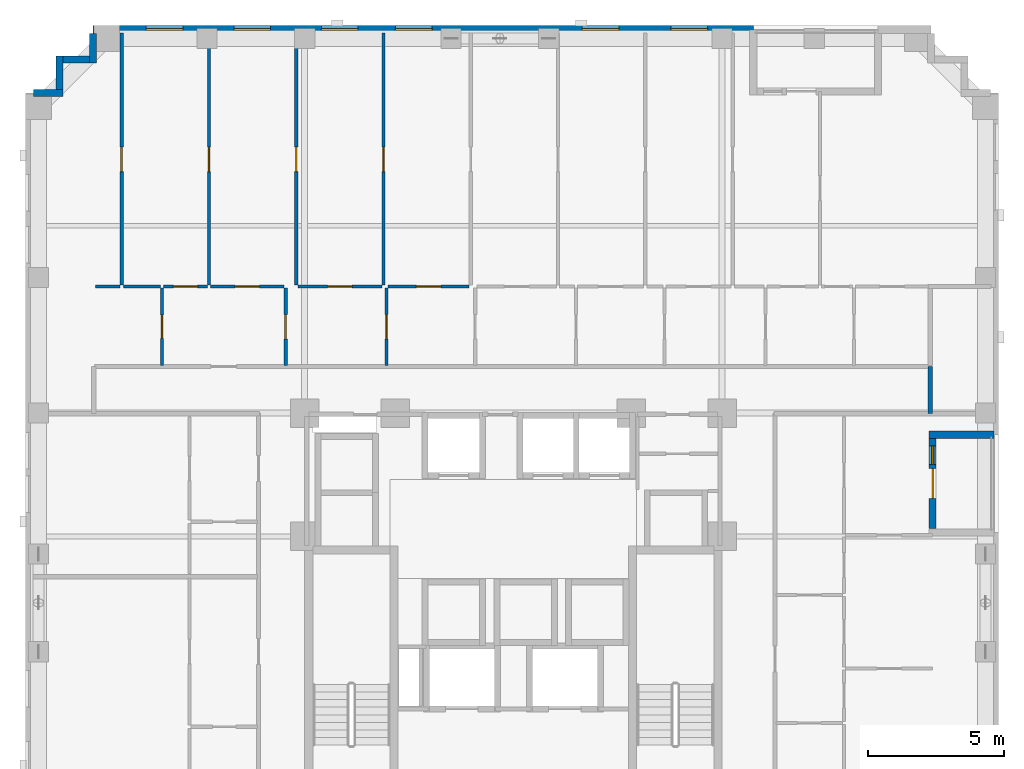
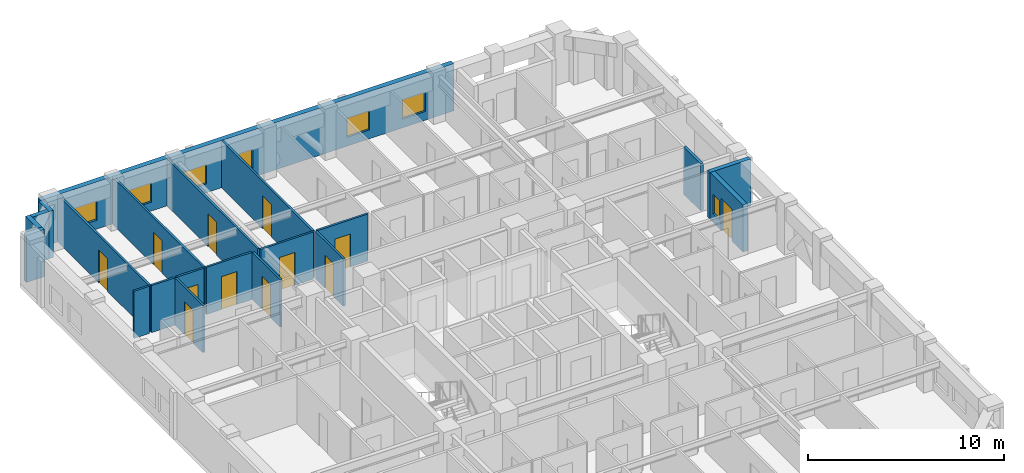
# One storey, part 7 of 13: 21 walls, 12 doors, 7 windows, 19 openings.
"""IFC4 building model written with IfcOpenShell, lengths in metres."""

from ifc_helpers import new_model, si_unit, derived_unit, direction, frame, frame_2d, origin, place, context, subcontext, project, spatial, rectangle, extrude, material, layer, layer_set, type_object, element, fill, save


model = new_model("IFC4")

# Units and contexts
model_context = context("Model", 3, precision=1e-05, world=origin(), true_north=direction((0.0, 1.0)))
body_context = subcontext(model_context, "Body", "Model", "MODEL_VIEW")
ifc_project = project(units=[si_unit("LENGTHUNIT", "METRE"), si_unit("AREAUNIT", "SQUARE_METRE"), si_unit("VOLUMEUNIT", "CUBIC_METRE"), si_unit("PLANEANGLEUNIT", "RADIAN"), si_unit("MASSUNIT", "GRAM", prefix="KILO"), derived_unit("THERMALTRANSMITTANCEUNIT", [(si_unit("MASSUNIT", "GRAM", prefix="KILO"), 1), (si_unit("TIMEUNIT", "SECOND"), -3), (si_unit("THERMODYNAMICTEMPERATUREUNIT", "KELVIN"), -1)])], contexts=[model_context])

# Site, building, storey
site_placement = place(None, origin())
site = spatial("IfcSite", under=ifc_project, at=site_placement, CompositionType="ELEMENT")
building_placement = place(site_placement, origin())
building = spatial("IfcBuilding", under=site, at=building_placement, Name="Korrvale Station Residences", CompositionType="ELEMENT")
storey_placement = place(building_placement, frame((0.0, 0.0, 100.699951171875)))
storey = spatial("IfcBuildingStorey", under=building, at=storey_placement, Name="L28", CompositionType="ELEMENT", Elevation=100.699951171875)

# Wall
ifc_material_1 = material(Name="Precast concrete C45/55", Category="concrete")
ifc_layer_1 = layer(ifc_material_1, 0.260009765625, Name="Precast concrete C45/55")
ifc_layer_set_1 = layer_set([ifc_layer_1], Name="Precast concrete C45/55")
wall_type_1 = type_object("IfcWallType", Name="WAL-EXT-LOG260", PredefinedType="SOLIDWALL", material=ifc_layer_set_1)
wall_1_placement = place(storey_placement, frame((43.239990234375, 28.199951171875, 0.0), z_axis=(0.0, 0.0, 1.0), x_axis=(-1.0, 0.0, 0.0)))
element("IfcWall", 1, at=wall_1_placement, inside=storey, type_object=wall_type_1, Name="L28 Recessed Loggia Wall BAL-L28-E1-L", PredefinedType="SOLIDWALL", context=body_context, shape_type="SweptSolid", body=[
    extrude(rectangle(XDim=2.39990234375, YDim=0.260009765625, at=frame_2d((1.199951171875, 0.0))), origin(), (0.0, 0.0, 1.0), 2.93994140625),
])

# Wall, openings, door, window
wall_2_placement = place(storey_placement, frame((40.969970703125, 28.06591796875, 0.0), z_axis=(0.0, 0.0, 1.0), x_axis=(0.0, -1.0, 0.0)))
wall_2 = element("IfcWall", 2, at=wall_2_placement, inside=storey, type_object=wall_type_1, Name="L28 Recessed Loggia Wall BAL-L28-E1-B", PredefinedType="SOLIDWALL", context=body_context, shape_type="SweptSolid", body=[
    extrude(rectangle(XDim=3.33203125, YDim=0.260009765625, at=frame_2d((1.666015625, 0.0))), origin(), (0.0, 0.0, 1.0), 2.93994140625),
])
opening_1_placement = place(wall_2_placement, frame((1.115966796875, 0.0, 0.0)))
opening_1 = element("IfcOpeningElement", 3, at=opening_1_placement, cuts=wall_2, Name="Opening BD-01", PredefinedType="OPENING", context=body_context, shape_type="SweptSolid", body=[
    extrude(rectangle(XDim=1.10009765625, YDim=2.0, at=frame_2d((0.550048828125, 1.0))), frame((0.0, 0.14013671875, 0.0), z_axis=(0.0, -1.0, 0.0), x_axis=(1.0, 0.0, 0.0)), (0.0, 0.0, 1.0), 0.280029296875),
])
opening_2_placement = place(wall_2_placement, frame((0.27587890625, 0.0, 0.550048828125)))
opening_2 = element("IfcOpeningElement", 4, at=opening_2_placement, cuts=wall_2, Name="Opening W-12", PredefinedType="OPENING", context=body_context, shape_type="SweptSolid", body=[
    extrude(rectangle(XDim=0.679931640625, YDim=1.199951171875, at=frame_2d((0.33984375, 0.60009765625))), frame((0.0, 0.14013671875, 0.0), z_axis=(0.0, -1.0, 0.0), x_axis=(1.0, 0.0, 0.0)), (0.0, 0.0, 1.0), 0.280029296875),
])
ifc_material_2 = material(Name="Exterior thermally broken aluminium glazed balcony door", Category="aluminium")
door_type_1 = type_object("IfcDoorType", Name="DR-EXT-BAL", OperationType="NOTDEFINED", PredefinedType="DOOR", material=ifc_material_2)
door_1_placement = place(opening_1_placement, origin())
door_1 = element("IfcDoor", 5, at=door_1_placement, inside=storey, type_object=door_type_1, Name="L28 Loggia Balcony Door BAL-L28-E1", OperationType="SINGLE_SWING_LEFT", OverallHeight=2.0, OverallWidth=1.10009765625, PredefinedType="DOOR", context=body_context, shape_type="SweptSolid", body=[
    extrude(rectangle(XDim=1.10009765625, YDim=2.0, at=frame_2d((0.550048828125, 1.0))), frame((0.0, 0.02490234375, 0.0), z_axis=(0.0, -1.0, 0.0), x_axis=(1.0, 0.0, 0.0)), (0.0, 0.0, 1.0), 0.050048828125),
])
fill(opening_1, door_1)
ifc_material_3 = material(Name="Thermally broken aluminium frame with triple low-e glazing", Category="aluminium")
window_type_1 = type_object("IfcWindowType", Name="WIN-W12", PartitioningType="SINGLE_PANEL", PredefinedType="WINDOW", material=ifc_material_3)
window_1_placement = place(opening_2_placement, origin())
window_1 = element("IfcWindow", 6, at=window_1_placement, inside=storey, type_object=window_type_1, Name="L28 Punched Window 27", OverallHeight=1.199951171875, OverallWidth=0.679931640625, PartitioningType="SINGLE_PANEL", PredefinedType="WINDOW", context=body_context, shape_type="SweptSolid", body=[
    extrude(rectangle(XDim=0.679931640625, YDim=1.199951171875, at=frame_2d((0.33984375, 0.60009765625))), frame((0.0, 0.030029296875, 0.0), z_axis=(0.0, -1.0, 0.0), x_axis=(1.0, 0.0, 0.0)), (0.0, 0.0, 1.0), 0.06005859375),
])
fill(opening_2, window_1)

# Walls
wall_3_placement = place(storey_placement, frame((7.802001953125, 40.800048828125, 0.0), z_axis=(0.0, 0.0, 1.0), x_axis=(1.0, 0.0, 0.0)))
element("IfcWall", 7, at=wall_3_placement, inside=storey, type_object=wall_type_1, Name="L28 Serrated Corner Precast Step NW-1", PredefinedType="SOLIDWALL", context=body_context, shape_type="SweptSolid", body=[
    extrude(rectangle(XDim=1.077880859375, YDim=0.260009765625, at=frame_2d((0.5390625, 0.0))), origin(), (0.0, 0.0, 1.0), 2.93994140625),
])
wall_4_placement = place(storey_placement, frame((8.75, 40.931884765625, 0.0), z_axis=(0.0, 0.0, 1.0), x_axis=(0.0, 1.0, 0.0)))
element("IfcWall", 8, at=wall_4_placement, inside=storey, type_object=wall_type_1, Name="L28 Serrated Corner Precast Step NW-2", PredefinedType="SOLIDWALL", context=body_context, shape_type="SweptSolid", body=[
    extrude(rectangle(XDim=1.248046875, YDim=0.260009765625, at=frame_2d((0.6240234375, 0.0))), origin(), (0.0, 0.0, 1.0), 2.93994140625),
])
wall_5_placement = place(storey_placement, frame((8.882080078125, 42.050048828125, 0.0), z_axis=(0.0, 0.0, 1.0), x_axis=(1.0, 0.0, 0.0)))
element("IfcWall", 9, at=wall_5_placement, inside=storey, type_object=wall_type_1, Name="L28 Serrated Corner Precast Step NW-3", PredefinedType="SOLIDWALL", context=body_context, shape_type="SweptSolid", body=[
    extrude(rectangle(XDim=0.98583984375, YDim=0.260009765625, at=frame_2d((0.492919921875, 0.0))), origin(), (0.0, 0.0, 1.0), 2.93994140625),
])
wall_6_placement = place(storey_placement, frame((10.0, 41.919921875, 0.0), z_axis=(0.0, 0.0, 1.0), x_axis=(0.0, 1.0, 0.0)))
element("IfcWall", 10, at=wall_6_placement, inside=storey, type_object=wall_type_1, Name="L28 Serrated Corner Precast Step NW-4", PredefinedType="SOLIDWALL", context=body_context, shape_type="SweptSolid", body=[
    extrude(rectangle(XDim=1.078125, YDim=0.260009765625, at=frame_2d((0.5390625, 0.0))), origin(), (0.0, 0.0, 1.0), 2.93994140625),
])

# Wall, openings, windows
ifc_layer_2 = layer(ifc_material_1, 0.300048828125, Name="Precast concrete C45/55")
ifc_layer_set_2 = layer_set([ifc_layer_2], Name="Precast concrete C45/55")
wall_type_2 = type_object("IfcWallType", Name="WAL-EXT-PC300", PredefinedType="SOLIDWALL", material=ifc_layer_set_2)
wall_7_placement = place(storey_placement, frame((10.0, 43.14990234375, 0.0), z_axis=(0.0, 0.0, 1.0), x_axis=(1.0, 0.0, 0.0)))
wall_7 = element("IfcWall", 11, at=wall_7_placement, inside=storey, type_object=wall_type_2, Name="L28 North Exterior Precast Wall 1", PredefinedType="SOLIDWALL", context=body_context, shape_type="SweptSolid", body=[
    extrude(rectangle(XDim=24.35009765625, YDim=0.300048828125, at=frame_2d((12.175048828125, 0.0))), origin(), (0.0, 0.0, 1.0), 2.93994140625),
])
opening_3_placement = place(wall_7_placement, frame((1.9560546875, 0.0, 0.550048828125)))
opening_3 = element("IfcOpeningElement", 12, at=opening_3_placement, cuts=wall_7, Name="Opening W-10", PredefinedType="OPENING", context=body_context, shape_type="SweptSolid", body=[
    extrude(rectangle(XDim=1.35009765625, YDim=1.199951171875, at=frame_2d((0.675048828125, 0.60009765625))), frame((0.0, 0.16015625, 0.0), z_axis=(0.0, -1.0, 0.0), x_axis=(1.0, 0.0, 0.0)), (0.0, 0.0, 1.0), 0.320068359375),
])
opening_4_placement = place(wall_7_placement, frame((5.18701171875, 0.0, 0.550048828125)))
opening_4 = element("IfcOpeningElement", 13, at=opening_4_placement, cuts=wall_7, Name="Opening W-10", PredefinedType="OPENING", context=body_context, shape_type="SweptSolid", body=[
    extrude(rectangle(XDim=1.35009765625, YDim=1.199951171875, at=frame_2d((0.675048828125, 0.60009765625))), frame((0.0, 0.16015625, 0.0), z_axis=(0.0, -1.0, 0.0), x_axis=(1.0, 0.0, 0.0)), (0.0, 0.0, 1.0), 0.320068359375),
])
opening_5_placement = place(wall_7_placement, frame((8.41796875, 0.0, 0.550048828125)))
opening_5 = element("IfcOpeningElement", 14, at=opening_5_placement, cuts=wall_7, Name="Opening W-10", PredefinedType="OPENING", context=body_context, shape_type="SweptSolid", body=[
    extrude(rectangle(XDim=1.35009765625, YDim=1.199951171875, at=frame_2d((0.675048828125, 0.60009765625))), frame((0.0, 0.16015625, 0.0), z_axis=(0.0, -1.0, 0.0), x_axis=(1.0, 0.0, 0.0)), (0.0, 0.0, 1.0), 0.320068359375),
])
opening_6_placement = place(wall_7_placement, frame((11.14990234375, 0.0, 0.550048828125)))
opening_6 = element("IfcOpeningElement", 15, at=opening_6_placement, cuts=wall_7, Name="Opening W-10", PredefinedType="OPENING", context=body_context, shape_type="SweptSolid", body=[
    extrude(rectangle(XDim=1.35009765625, YDim=1.199951171875, at=frame_2d((0.675048828125, 0.60009765625))), frame((0.0, 0.16015625, 0.0), z_axis=(0.0, -1.0, 0.0), x_axis=(1.0, 0.0, 0.0)), (0.0, 0.0, 1.0), 0.320068359375),
])
opening_7_placement = place(wall_7_placement, frame((18.0380859375, 0.0, 0.550048828125)))
opening_7 = element("IfcOpeningElement", 16, at=opening_7_placement, cuts=wall_7, Name="Opening W-10", PredefinedType="OPENING", context=body_context, shape_type="SweptSolid", body=[
    extrude(rectangle(XDim=1.35009765625, YDim=1.199951171875, at=frame_2d((0.675048828125, 0.60009765625))), frame((0.0, 0.16015625, 0.0), z_axis=(0.0, -1.0, 0.0), x_axis=(1.0, 0.0, 0.0)), (0.0, 0.0, 1.0), 0.320068359375),
])
opening_8_placement = place(wall_7_placement, frame((21.31494140625, 0.0, 0.550048828125)))
opening_8 = element("IfcOpeningElement", 17, at=opening_8_placement, cuts=wall_7, Name="Opening W-10", PredefinedType="OPENING", context=body_context, shape_type="SweptSolid", body=[
    extrude(rectangle(XDim=1.35009765625, YDim=1.199951171875, at=frame_2d((0.675048828125, 0.60009765625))), frame((0.0, 0.16015625, 0.0), z_axis=(0.0, -1.0, 0.0), x_axis=(1.0, 0.0, 0.0)), (0.0, 0.0, 1.0), 0.320068359375),
])
window_type_2 = type_object("IfcWindowType", Name="WIN-W10", PartitioningType="SINGLE_PANEL", PredefinedType="WINDOW", material=ifc_material_3)
window_2_placement = place(opening_3_placement, origin())
window_2 = element("IfcWindow", 18, at=window_2_placement, inside=storey, type_object=window_type_2, Name="L28 Punched Window 14", OverallHeight=1.199951171875, OverallWidth=1.35009765625, PartitioningType="SINGLE_PANEL", PredefinedType="WINDOW", context=body_context, shape_type="SweptSolid", body=[
    extrude(rectangle(XDim=1.35009765625, YDim=1.199951171875, at=frame_2d((0.675048828125, 0.60009765625))), frame((0.0, 0.030029296875, 0.0), z_axis=(0.0, -1.0, 0.0), x_axis=(1.0, 0.0, 0.0)), (0.0, 0.0, 1.0), 0.06005859375),
])
fill(opening_3, window_2)
window_3_placement = place(opening_4_placement, origin())
window_3 = element("IfcWindow", 19, at=window_3_placement, inside=storey, type_object=window_type_2, Name="L28 Punched Window 15", OverallHeight=1.199951171875, OverallWidth=1.35009765625, PartitioningType="SINGLE_PANEL", PredefinedType="WINDOW", context=body_context, shape_type="SweptSolid", body=[
    extrude(rectangle(XDim=1.35009765625, YDim=1.199951171875, at=frame_2d((0.675048828125, 0.60009765625))), frame((0.0, 0.030029296875, 0.0), z_axis=(0.0, -1.0, 0.0), x_axis=(1.0, 0.0, 0.0)), (0.0, 0.0, 1.0), 0.06005859375),
])
fill(opening_4, window_3)
window_4_placement = place(opening_5_placement, origin())
window_4 = element("IfcWindow", 20, at=window_4_placement, inside=storey, type_object=window_type_2, Name="L28 Punched Window 16", OverallHeight=1.199951171875, OverallWidth=1.35009765625, PartitioningType="SINGLE_PANEL", PredefinedType="WINDOW", context=body_context, shape_type="SweptSolid", body=[
    extrude(rectangle(XDim=1.35009765625, YDim=1.199951171875, at=frame_2d((0.675048828125, 0.60009765625))), frame((0.0, 0.030029296875, 0.0), z_axis=(0.0, -1.0, 0.0), x_axis=(1.0, 0.0, 0.0)), (0.0, 0.0, 1.0), 0.06005859375),
])
fill(opening_5, window_4)
window_5_placement = place(opening_6_placement, origin())
window_5 = element("IfcWindow", 21, at=window_5_placement, inside=storey, type_object=window_type_2, Name="L28 Punched Window 17", OverallHeight=1.199951171875, OverallWidth=1.35009765625, PartitioningType="SINGLE_PANEL", PredefinedType="WINDOW", context=body_context, shape_type="SweptSolid", body=[
    extrude(rectangle(XDim=1.35009765625, YDim=1.199951171875, at=frame_2d((0.675048828125, 0.60009765625))), frame((0.0, 0.030029296875, 0.0), z_axis=(0.0, -1.0, 0.0), x_axis=(1.0, 0.0, 0.0)), (0.0, 0.0, 1.0), 0.06005859375),
])
fill(opening_6, window_5)
window_6_placement = place(opening_7_placement, origin())
window_6 = element("IfcWindow", 22, at=window_6_placement, inside=storey, type_object=window_type_2, Name="L28 Punched Window 18", OverallHeight=1.199951171875, OverallWidth=1.35009765625, PartitioningType="SINGLE_PANEL", PredefinedType="WINDOW", context=body_context, shape_type="SweptSolid", body=[
    extrude(rectangle(XDim=1.35009765625, YDim=1.199951171875, at=frame_2d((0.675048828125, 0.60009765625))), frame((0.0, 0.030029296875, 0.0), z_axis=(0.0, -1.0, 0.0), x_axis=(1.0, 0.0, 0.0)), (0.0, 0.0, 1.0), 0.06005859375),
])
fill(opening_7, window_6)
window_7_placement = place(opening_8_placement, origin())
window_7 = element("IfcWindow", 23, at=window_7_placement, inside=storey, type_object=window_type_2, Name="L28 Punched Window 19", OverallHeight=1.199951171875, OverallWidth=1.35009765625, PartitioningType="SINGLE_PANEL", PredefinedType="WINDOW", context=body_context, shape_type="SweptSolid", body=[
    extrude(rectangle(XDim=1.35009765625, YDim=1.199951171875, at=frame_2d((0.675048828125, 0.60009765625))), frame((0.0, 0.030029296875, 0.0), z_axis=(0.0, -1.0, 0.0), x_axis=(1.0, 0.0, 0.0)), (0.0, 0.0, 1.0), 0.06005859375),
])
fill(opening_8, window_7)

# Wall, opening, door
ifc_material_4 = material(Name="Acoustic steel-stud gypsum board partition", Category="steel")
ifc_layer_3 = layer(ifc_material_4, 0.1201171875, Name="Acoustic steel-stud gypsum board partition")
ifc_layer_set_3 = layer_set([ifc_layer_3], Name="Acoustic steel-stud gypsum board partition")
wall_type_3 = type_object("IfcWallType", Name="WAL-PART-125", PredefinedType="PARTITIONING", material=ifc_layer_set_3)
wall_8_placement = place(storey_placement, frame((12.5400390625, 30.760009765625, 0.0), z_axis=(0.0, 0.0, 1.0), x_axis=(0.0, 1.0, 0.0)))
wall_8 = element("IfcWall", 24, at=wall_8_placement, inside=storey, type_object=wall_type_3, Name="L28 Suite Partition U02-V01", PredefinedType="PARTITIONING", context=body_context, shape_type="SweptSolid", body=[
    extrude(rectangle(XDim=2.85009765625, YDim=0.1201171875, at=frame_2d((1.425048828125, 0.0))), origin(), (0.0, 0.0, 1.0), 2.93994140625),
])
opening_9_placement = place(wall_8_placement, frame((0.9951171875, 0.0, 0.0)))
opening_9 = element("IfcOpeningElement", 25, at=opening_9_placement, cuts=wall_8, Name="Opening DB-860", PredefinedType="OPENING", context=body_context, shape_type="SweptSolid", body=[
    extrude(rectangle(XDim=0.860107421875, YDim=2.050048828125, at=frame_2d((0.43017578125, 1.02490234375))), frame((0.0, 0.070068359375, 0.0), z_axis=(0.0, -1.0, 0.0), x_axis=(1.0, 0.0, 0.0)), (0.0, 0.0, 1.0), 0.14013671875),
])
ifc_material_5 = material(Name="Moisture-resistant solid-core bathroom door", Category="timber")
door_type_2 = type_object("IfcDoorType", Name="DR-BATH-860", OperationType="NOTDEFINED", PredefinedType="DOOR", material=ifc_material_5)
door_2_placement = place(opening_9_placement, origin())
door_2 = element("IfcDoor", 26, at=door_2_placement, inside=storey, type_object=door_type_2, Name="L28 Studio Apartment L28-U02 Bathroom Door", OperationType="SINGLE_SWING_RIGHT", OverallHeight=2.050048828125, OverallWidth=0.860107421875, PredefinedType="DOOR", context=body_context, shape_type="SweptSolid", body=[
    extrude(rectangle(XDim=0.860107421875, YDim=2.050048828125, at=frame_2d((0.43017578125, 1.02490234375))), frame((0.0, 0.02490234375, 0.0), z_axis=(0.0, -1.0, 0.0), x_axis=(1.0, 0.0, 0.0)), (0.0, 0.0, 1.0), 0.050048828125),
])
fill(opening_9, door_2)

# Walls
wall_9_placement = place(storey_placement, frame((10.080078125, 33.669921875, 0.0), z_axis=(0.0, 0.0, 1.0), x_axis=(1.0, 0.0, 0.0)))
element("IfcWall", 27, at=wall_9_placement, inside=storey, type_object=wall_type_3, Name="L28 Suite Partition U02-H09", PredefinedType="PARTITIONING", context=body_context, shape_type="SweptSolid", body=[
    extrude(rectangle(XDim=0.909912109375, YDim=0.1201171875, at=frame_2d((0.455078125, 0.0))), origin(), (0.0, 0.0, 1.0), 2.93994140625),
])
wall_10_placement = place(storey_placement, frame((11.110107421875, 33.669921875, 0.0), z_axis=(0.0, 0.0, 1.0), x_axis=(1.0, 0.0, 0.0)))
element("IfcWall", 28, at=wall_10_placement, inside=storey, type_object=wall_type_3, Name="L28 Suite Partition U02-H010", PredefinedType="PARTITIONING", context=body_context, shape_type="SweptSolid", body=[
    extrude(rectangle(XDim=1.369873046875, YDim=0.1201171875, at=frame_2d((0.68505859375, 0.0))), origin(), (0.0, 0.0, 1.0), 2.93994140625),
])

# Wall, opening, door
wall_11_placement = place(storey_placement, frame((17.10009765625, 30.760009765625, 0.0), z_axis=(0.0, 0.0, 1.0), x_axis=(0.0, 1.0, 0.0)))
wall_11 = element("IfcWall", 29, at=wall_11_placement, inside=storey, type_object=wall_type_3, Name="L28 Suite Partition U02-V12", PredefinedType="PARTITIONING", context=body_context, shape_type="SweptSolid", body=[
    extrude(rectangle(XDim=2.85009765625, YDim=0.1201171875, at=frame_2d((1.425048828125, 0.0))), origin(), (0.0, 0.0, 1.0), 2.93994140625),
])
opening_10_placement = place(wall_11_placement, frame((0.97509765625, 0.0, 0.0)))
opening_10 = element("IfcOpeningElement", 30, at=opening_10_placement, cuts=wall_11, Name="Opening DI-900", PredefinedType="OPENING", context=body_context, shape_type="SweptSolid", body=[
    extrude(rectangle(XDim=0.89990234375, YDim=2.050048828125, at=frame_2d((0.449951171875, 1.02490234375))), frame((0.0, 0.070068359375, 0.0), z_axis=(0.0, -1.0, 0.0), x_axis=(1.0, 0.0, 0.0)), (0.0, 0.0, 1.0), 0.14013671875),
])
ifc_material_6 = material(Name="Painted solid-core timber interior room door", Category="wood")
door_type_3 = type_object("IfcDoorType", Name="DR-INT-900", OperationType="NOTDEFINED", PredefinedType="DOOR", material=ifc_material_6)
door_3_placement = place(opening_10_placement, origin())
door_3 = element("IfcDoor", 31, at=door_3_placement, inside=storey, type_object=door_type_3, Name="L28 Studio Apartment L28-U02 Kitchen Door", OperationType="SINGLE_SWING_LEFT", OverallHeight=2.050048828125, OverallWidth=0.89990234375, PredefinedType="DOOR", context=body_context, shape_type="SweptSolid", body=[
    extrude(rectangle(XDim=0.89990234375, YDim=2.050048828125, at=frame_2d((0.449951171875, 1.02490234375))), frame((0.0, 0.02490234375, 0.0), z_axis=(0.0, -1.0, 0.0), x_axis=(1.0, 0.0, 0.0)), (0.0, 0.0, 1.0), 0.050048828125),
])
fill(opening_10, door_3)

wall_12_placement = place(storey_placement, frame((12.60009765625, 33.669921875, 0.0), z_axis=(0.0, 0.0, 1.0), x_axis=(1.0, 0.0, 0.0)))
wall_12 = element("IfcWall", 32, at=wall_12_placement, inside=storey, type_object=wall_type_3, Name="L28 Suite Partition U02-H110", PredefinedType="PARTITIONING", context=body_context, shape_type="SweptSolid", body=[
    extrude(rectangle(XDim=1.60986328125, YDim=0.1201171875, at=frame_2d((0.804931640625, 0.0))), origin(), (0.0, 0.0, 1.0), 2.93994140625),
])
opening_11_placement = place(wall_12_placement, frame((0.35498046875, 0.0, 0.0)))
opening_11 = element("IfcOpeningElement", 33, at=opening_11_placement, cuts=wall_12, Name="Opening DI-900", PredefinedType="OPENING", context=body_context, shape_type="SweptSolid", body=[
    extrude(rectangle(XDim=0.89990234375, YDim=2.050048828125, at=frame_2d((0.449951171875, 1.02490234375))), frame((0.0, 0.070068359375, 0.0), z_axis=(0.0, -1.0, 0.0), x_axis=(1.0, 0.0, 0.0)), (0.0, 0.0, 1.0), 0.14013671875),
])
door_4_placement = place(opening_11_placement, origin())
door_4 = element("IfcDoor", 34, at=door_4_placement, inside=storey, type_object=door_type_3, Name="L28 Studio Apartment L28-U02 Kitchen Door", OperationType="SINGLE_SWING_RIGHT", OverallHeight=2.050048828125, OverallWidth=0.89990234375, PredefinedType="DOOR", context=body_context, shape_type="SweptSolid", body=[
    extrude(rectangle(XDim=0.89990234375, YDim=2.050048828125, at=frame_2d((0.449951171875, 1.02490234375))), frame((0.0, 0.02490234375, 0.0), z_axis=(0.0, -1.0, 0.0), x_axis=(1.0, 0.0, 0.0)), (0.0, 0.0, 1.0), 0.050048828125),
])
fill(opening_11, door_4)

wall_13_placement = place(storey_placement, frame((14.330078125, 33.669921875, 0.0), z_axis=(0.0, 0.0, 1.0), x_axis=(1.0, 0.0, 0.0)))
wall_13 = element("IfcWall", 35, at=wall_13_placement, inside=storey, type_object=wall_type_3, Name="L28 Suite Partition U02-H111", PredefinedType="PARTITIONING", context=body_context, shape_type="SweptSolid", body=[
    extrude(rectangle(XDim=2.7099609375, YDim=0.1201171875, at=frame_2d((1.35498046875, 0.0))), origin(), (0.0, 0.0, 1.0), 2.93994140625),
])
opening_12_placement = place(wall_13_placement, frame((0.905029296875, 0.0, 0.0)))
opening_12 = element("IfcOpeningElement", 36, at=opening_12_placement, cuts=wall_13, Name="Opening DI-900", PredefinedType="OPENING", context=body_context, shape_type="SweptSolid", body=[
    extrude(rectangle(XDim=0.89990234375, YDim=2.050048828125, at=frame_2d((0.449951171875, 1.02490234375))), frame((0.0, 0.070068359375, 0.0), z_axis=(0.0, -1.0, 0.0), x_axis=(1.0, 0.0, 0.0)), (0.0, 0.0, 1.0), 0.14013671875),
])
door_5_placement = place(opening_12_placement, origin())
door_5 = element("IfcDoor", 37, at=door_5_placement, inside=storey, type_object=door_type_3, Name="L28 Studio Apartment L28-U02 Kitchen Door", OperationType="SINGLE_SWING_LEFT", OverallHeight=2.050048828125, OverallWidth=0.89990234375, PredefinedType="DOOR", context=body_context, shape_type="SweptSolid", body=[
    extrude(rectangle(XDim=0.89990234375, YDim=2.050048828125, at=frame_2d((0.449951171875, 1.02490234375))), frame((0.0, 0.02490234375, 0.0), z_axis=(0.0, -1.0, 0.0), x_axis=(1.0, 0.0, 0.0)), (0.0, 0.0, 1.0), 0.050048828125),
])
fill(opening_12, door_5)

wall_14_placement = place(storey_placement, frame((20.820068359375, 30.760009765625, 0.0), z_axis=(0.0, 0.0, 1.0), x_axis=(0.0, 1.0, 0.0)))
wall_14 = element("IfcWall", 38, at=wall_14_placement, inside=storey, type_object=wall_type_3, Name="L28 Suite Partition U02-V23", PredefinedType="PARTITIONING", context=body_context, shape_type="SweptSolid", body=[
    extrude(rectangle(XDim=2.85009765625, YDim=0.1201171875, at=frame_2d((1.425048828125, 0.0))), origin(), (0.0, 0.0, 1.0), 2.93994140625),
])
opening_13_placement = place(wall_14_placement, frame((0.97509765625, 0.0, 0.0)))
opening_13 = element("IfcOpeningElement", 39, at=opening_13_placement, cuts=wall_14, Name="Opening DI-900", PredefinedType="OPENING", context=body_context, shape_type="SweptSolid", body=[
    extrude(rectangle(XDim=0.89990234375, YDim=2.050048828125, at=frame_2d((0.449951171875, 1.02490234375))), frame((0.0, 0.070068359375, 0.0), z_axis=(0.0, -1.0, 0.0), x_axis=(1.0, 0.0, 0.0)), (0.0, 0.0, 1.0), 0.14013671875),
])
door_6_placement = place(opening_13_placement, origin())
door_6 = element("IfcDoor", 40, at=door_6_placement, inside=storey, type_object=door_type_3, Name="L28 Studio Apartment L28-U02 Utility and Laundry Room Door", OperationType="SINGLE_SWING_RIGHT", OverallHeight=2.050048828125, OverallWidth=0.89990234375, PredefinedType="DOOR", context=body_context, shape_type="SweptSolid", body=[
    extrude(rectangle(XDim=0.89990234375, YDim=2.050048828125, at=frame_2d((0.449951171875, 1.02490234375))), frame((0.0, 0.02490234375, 0.0), z_axis=(0.0, -1.0, 0.0), x_axis=(1.0, 0.0, 0.0)), (0.0, 0.0, 1.0), 0.050048828125),
])
fill(opening_13, door_6)

wall_15_placement = place(storey_placement, frame((17.550048828125, 33.669921875, 0.0), z_axis=(0.0, 0.0, 1.0), x_axis=(1.0, 0.0, 0.0)))
wall_15 = element("IfcWall", 41, at=wall_15_placement, inside=storey, type_object=wall_type_3, Name="L28 Suite Partition U02-H212", PredefinedType="PARTITIONING", context=body_context, shape_type="SweptSolid", body=[
    extrude(rectangle(XDim=3.099853515625, YDim=0.1201171875, at=frame_2d((1.5498046875, 0.0))), origin(), (0.0, 0.0, 1.0), 2.93994140625),
])
opening_14_placement = place(wall_15_placement, frame((1.10009765625, 0.0, 0.0)))
opening_14 = element("IfcOpeningElement", 42, at=opening_14_placement, cuts=wall_15, Name="Opening DI-900", PredefinedType="OPENING", context=body_context, shape_type="SweptSolid", body=[
    extrude(rectangle(XDim=0.89990234375, YDim=2.050048828125, at=frame_2d((0.449951171875, 1.02490234375))), frame((0.0, 0.070068359375, 0.0), z_axis=(0.0, -1.0, 0.0), x_axis=(1.0, 0.0, 0.0)), (0.0, 0.0, 1.0), 0.14013671875),
])
door_7_placement = place(opening_14_placement, origin())
door_7 = element("IfcDoor", 43, at=door_7_placement, inside=storey, type_object=door_type_3, Name="L28 Studio Apartment L28-U02 Utility and Laundry Room Door", OperationType="SINGLE_SWING_LEFT", OverallHeight=2.050048828125, OverallWidth=0.89990234375, PredefinedType="DOOR", context=body_context, shape_type="SweptSolid", body=[
    extrude(rectangle(XDim=0.89990234375, YDim=2.050048828125, at=frame_2d((0.449951171875, 1.02490234375))), frame((0.0, 0.02490234375, 0.0), z_axis=(0.0, -1.0, 0.0), x_axis=(1.0, 0.0, 0.0)), (0.0, 0.0, 1.0), 0.050048828125),
])
fill(opening_14, door_7)

wall_16_placement = place(storey_placement, frame((20.8798828125, 33.669921875, 0.0), z_axis=(0.0, 0.0, 1.0), x_axis=(1.0, 0.0, 0.0)))
wall_16 = element("IfcWall", 44, at=wall_16_placement, inside=storey, type_object=wall_type_3, Name="L28 Suite Partition U02-H313", PredefinedType="PARTITIONING", context=body_context, shape_type="SweptSolid", body=[
    extrude(rectangle(XDim=2.990234375, YDim=0.1201171875, at=frame_2d((1.4951171875, 0.0))), origin(), (0.0, 0.0, 1.0), 2.93994140625),
])
opening_15_placement = place(wall_16_placement, frame((1.044921875, 0.0, 0.0)))
opening_15 = element("IfcOpeningElement", 45, at=opening_15_placement, cuts=wall_16, Name="Opening DI-900", PredefinedType="OPENING", context=body_context, shape_type="SweptSolid", body=[
    extrude(rectangle(XDim=0.89990234375, YDim=2.050048828125, at=frame_2d((0.449951171875, 1.02490234375))), frame((0.0, 0.070068359375, 0.0), z_axis=(0.0, -1.0, 0.0), x_axis=(1.0, 0.0, 0.0)), (0.0, 0.0, 1.0), 0.14013671875),
])
door_8_placement = place(opening_15_placement, origin())
door_8 = element("IfcDoor", 46, at=door_8_placement, inside=storey, type_object=door_type_3, Name="L28 Studio Apartment L28-U02 Storage Closet 2 Door", OperationType="SINGLE_SWING_LEFT", OverallHeight=2.050048828125, OverallWidth=0.89990234375, PredefinedType="DOOR", context=body_context, shape_type="SweptSolid", body=[
    extrude(rectangle(XDim=0.89990234375, YDim=2.050048828125, at=frame_2d((0.449951171875, 1.02490234375))), frame((0.0, 0.02490234375, 0.0), z_axis=(0.0, -1.0, 0.0), x_axis=(1.0, 0.0, 0.0)), (0.0, 0.0, 1.0), 0.050048828125),
])
fill(opening_15, door_8)

wall_17_placement = place(storey_placement, frame((11.050048828125, 33.72998046875, 0.0), z_axis=(0.0, 0.0, 1.0), x_axis=(0.0, 1.0, 0.0)))
wall_17 = element("IfcWall", 47, at=wall_17_placement, inside=storey, type_object=wall_type_3, Name="L28 Suite Partition U02-V910", PredefinedType="PARTITIONING", context=body_context, shape_type="SweptSolid", body=[
    extrude(rectangle(XDim=9.2900390625, YDim=0.1201171875, at=frame_2d((4.64501953125, 0.0))), origin(), (0.0, 0.0, 1.0), 2.93994140625),
])
opening_16_placement = place(wall_17_placement, frame((4.179931640625, 0.0, 0.0)))
opening_16 = element("IfcOpeningElement", 48, at=opening_16_placement, cuts=wall_17, Name="Opening DI-900", PredefinedType="OPENING", context=body_context, shape_type="SweptSolid", body=[
    extrude(rectangle(XDim=0.89990234375, YDim=2.050048828125, at=frame_2d((0.449951171875, 1.02490234375))), frame((0.0, 0.070068359375, 0.0), z_axis=(0.0, -1.0, 0.0), x_axis=(1.0, 0.0, 0.0)), (0.0, 0.0, 1.0), 0.14013671875),
])
door_9_placement = place(opening_16_placement, origin())
door_9 = element("IfcDoor", 49, at=door_9_placement, inside=storey, type_object=door_type_3, Name="L28 Studio Apartment L28-U02 Walk-In Wardrobe Door", OperationType="SINGLE_SWING_RIGHT", OverallHeight=2.050048828125, OverallWidth=0.89990234375, PredefinedType="DOOR", context=body_context, shape_type="SweptSolid", body=[
    extrude(rectangle(XDim=0.89990234375, YDim=2.050048828125, at=frame_2d((0.449951171875, 1.02490234375))), frame((0.0, 0.02490234375, 0.0), z_axis=(0.0, -1.0, 0.0), x_axis=(1.0, 0.0, 0.0)), (0.0, 0.0, 1.0), 0.050048828125),
])
fill(opening_16, door_9)

wall_18_placement = place(storey_placement, frame((14.27001953125, 33.72998046875, 0.0), z_axis=(0.0, 0.0, 1.0), x_axis=(0.0, 1.0, 0.0)))
wall_18 = element("IfcWall", 50, at=wall_18_placement, inside=storey, type_object=wall_type_3, Name="L28 Suite Partition U02-V1011", PredefinedType="PARTITIONING", context=body_context, shape_type="SweptSolid", body=[
    extrude(rectangle(XDim=9.2900390625, YDim=0.1201171875, at=frame_2d((4.64501953125, 0.0))), origin(), (0.0, 0.0, 1.0), 2.93994140625),
])
opening_17_placement = place(wall_18_placement, frame((4.179931640625, 0.0, 0.0)))
opening_17 = element("IfcOpeningElement", 51, at=opening_17_placement, cuts=wall_18, Name="Opening DI-900", PredefinedType="OPENING", context=body_context, shape_type="SweptSolid", body=[
    extrude(rectangle(XDim=0.89990234375, YDim=2.050048828125, at=frame_2d((0.449951171875, 1.02490234375))), frame((0.0, 0.070068359375, 0.0), z_axis=(0.0, -1.0, 0.0), x_axis=(1.0, 0.0, 0.0)), (0.0, 0.0, 1.0), 0.14013671875),
])
door_10_placement = place(opening_17_placement, origin())
door_10 = element("IfcDoor", 52, at=door_10_placement, inside=storey, type_object=door_type_3, Name="L28 Studio Apartment L28-U02 Formal Dining Room Door", OperationType="SINGLE_SWING_LEFT", OverallHeight=2.050048828125, OverallWidth=0.89990234375, PredefinedType="DOOR", context=body_context, shape_type="SweptSolid", body=[
    extrude(rectangle(XDim=0.89990234375, YDim=2.050048828125, at=frame_2d((0.449951171875, 1.02490234375))), frame((0.0, 0.02490234375, 0.0), z_axis=(0.0, -1.0, 0.0), x_axis=(1.0, 0.0, 0.0)), (0.0, 0.0, 1.0), 0.050048828125),
])
fill(opening_17, door_10)

wall_19_placement = place(storey_placement, frame((17.489990234375, 33.72998046875, 0.0), z_axis=(0.0, 0.0, 1.0), x_axis=(0.0, 1.0, 0.0)))
wall_19 = element("IfcWall", 53, at=wall_19_placement, inside=storey, type_object=wall_type_3, Name="L28 Suite Partition U02-V1112", PredefinedType="PARTITIONING", context=body_context, shape_type="SweptSolid", body=[
    extrude(rectangle(XDim=9.2900390625, YDim=0.1201171875, at=frame_2d((4.64501953125, 0.0))), origin(), (0.0, 0.0, 1.0), 2.93994140625),
])
opening_18_placement = place(wall_19_placement, frame((4.179931640625, 0.0, 0.0)))
opening_18 = element("IfcOpeningElement", 54, at=opening_18_placement, cuts=wall_19, Name="Opening DI-900", PredefinedType="OPENING", context=body_context, shape_type="SweptSolid", body=[
    extrude(rectangle(XDim=0.89990234375, YDim=2.050048828125, at=frame_2d((0.449951171875, 1.02490234375))), frame((0.0, 0.070068359375, 0.0), z_axis=(0.0, -1.0, 0.0), x_axis=(1.0, 0.0, 0.0)), (0.0, 0.0, 1.0), 0.14013671875),
])
door_11_placement = place(opening_18_placement, origin())
door_11 = element("IfcDoor", 55, at=door_11_placement, inside=storey, type_object=door_type_3, Name="L28 Studio Apartment L28-U02 Formal Dining Room Door", OperationType="SINGLE_SWING_RIGHT", OverallHeight=2.050048828125, OverallWidth=0.89990234375, PredefinedType="DOOR", context=body_context, shape_type="SweptSolid", body=[
    extrude(rectangle(XDim=0.89990234375, YDim=2.050048828125, at=frame_2d((0.449951171875, 1.02490234375))), frame((0.0, 0.02490234375, 0.0), z_axis=(0.0, -1.0, 0.0), x_axis=(1.0, 0.0, 0.0)), (0.0, 0.0, 1.0), 0.050048828125),
])
fill(opening_18, door_11)

wall_20_placement = place(storey_placement, frame((20.7099609375, 33.72998046875, 0.0), z_axis=(0.0, 0.0, 1.0), x_axis=(0.0, 1.0, 0.0)))
wall_20 = element("IfcWall", 56, at=wall_20_placement, inside=storey, type_object=wall_type_3, Name="L28 Suite Partition U02-V1213", PredefinedType="PARTITIONING", context=body_context, shape_type="SweptSolid", body=[
    extrude(rectangle(XDim=9.2900390625, YDim=0.1201171875, at=frame_2d((4.64501953125, 0.0))), origin(), (0.0, 0.0, 1.0), 2.93994140625),
])
opening_19_placement = place(wall_20_placement, frame((4.179931640625, 0.0, 0.0)))
opening_19 = element("IfcOpeningElement", 57, at=opening_19_placement, cuts=wall_20, Name="Opening DI-900", PredefinedType="OPENING", context=body_context, shape_type="SweptSolid", body=[
    extrude(rectangle(XDim=0.89990234375, YDim=2.050048828125, at=frame_2d((0.449951171875, 1.02490234375))), frame((0.0, 0.070068359375, 0.0), z_axis=(0.0, -1.0, 0.0), x_axis=(1.0, 0.0, 0.0)), (0.0, 0.0, 1.0), 0.14013671875),
])
door_12_placement = place(opening_19_placement, origin())
door_12 = element("IfcDoor", 58, at=door_12_placement, inside=storey, type_object=door_type_3, Name="L28 Studio Apartment L28-U02 Formal Dining Room Door", OperationType="SINGLE_SWING_LEFT", OverallHeight=2.050048828125, OverallWidth=0.89990234375, PredefinedType="DOOR", context=body_context, shape_type="SweptSolid", body=[
    extrude(rectangle(XDim=0.89990234375, YDim=2.050048828125, at=frame_2d((0.449951171875, 1.02490234375))), frame((0.0, 0.02490234375, 0.0), z_axis=(0.0, -1.0, 0.0), x_axis=(1.0, 0.0, 0.0)), (0.0, 0.0, 1.0), 0.050048828125),
])
fill(opening_19, door_12)

# Wall
ifc_material_7 = material(Name="Fire-rated twin-stud gypsum and mineral wool shaftwall assembly", Category="gypsum")
ifc_layer_4 = layer(ifc_material_7, 0.159912109375, Name="Fire-rated twin-stud gypsum and mineral wool shaftwall assembly")
ifc_layer_set_4 = layer_set([ifc_layer_4], Name="Fire-rated twin-stud gypsum and mineral wool shaftwall assembly")
wall_type_4 = type_object("IfcWallType", Name="WAL-PART-200", PredefinedType="PARTITIONING", material=ifc_layer_set_4)
wall_21_placement = place(storey_placement, frame((40.8798828125, 28.97998046875, 0.0), z_axis=(0.0, 0.0, 1.0), x_axis=(0.0, 1.0, 0.0)))
element("IfcWall", 59, at=wall_21_placement, inside=storey, type_object=wall_type_4, Name="L28 Corridor North East Cap", PredefinedType="PARTITIONING", context=body_context, shape_type="SweptSolid", body=[
    extrude(rectangle(XDim=1.739990234375, YDim=0.159912109375, at=frame_2d((0.8701171875, 0.0))), origin(), (0.0, 0.0, 1.0), 2.93994140625),
])

save(model, "model.ifc")
